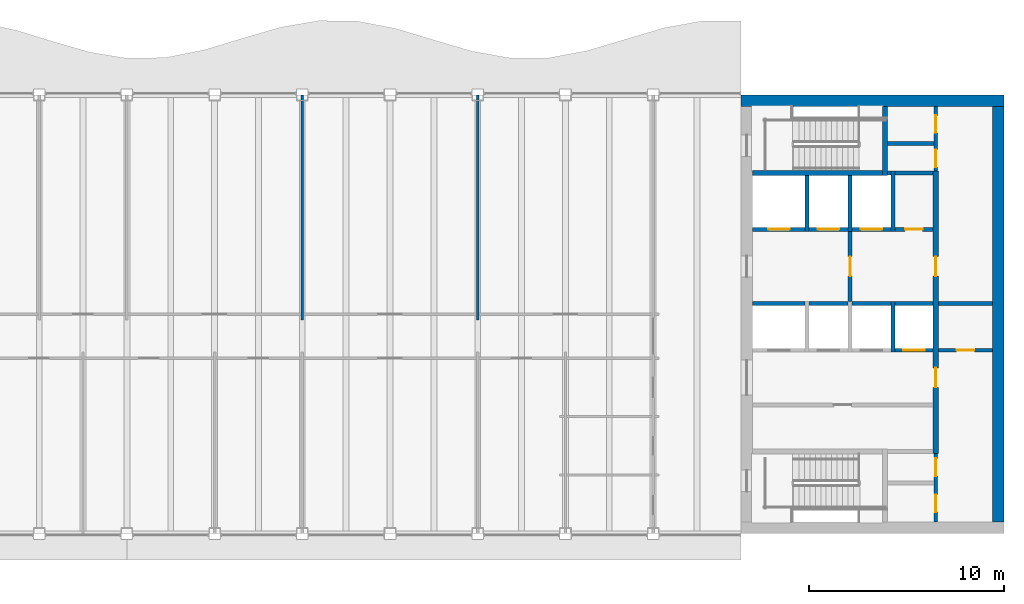
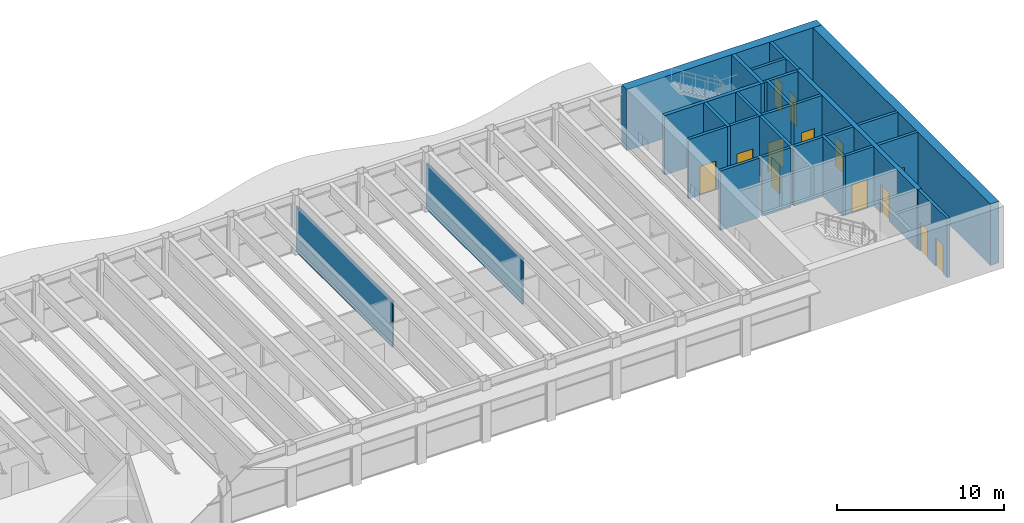
# One storey, part 10 of 14: 28 walls, 13 doors, 13 openings.
"""IFC4 building model written with IfcOpenShell, lengths in metres."""

from ifc_helpers import new_model, si_unit, direction, frame, frame_2d, origin, place, context, subcontext, project, spatial, rectangle, extrude, material, layer, layer_set, type_object, element, fill, save


model = new_model("IFC4")

# Units and contexts
model_context = context("Model", 3, precision=1e-05, world=origin(), true_north=direction((0.0, 1.0)))
body_context = subcontext(model_context, "Body", "Model", "MODEL_VIEW")
ifc_project = project(units=[si_unit("LENGTHUNIT", "METRE"), si_unit("AREAUNIT", "SQUARE_METRE"), si_unit("VOLUMEUNIT", "CUBIC_METRE"), si_unit("PLANEANGLEUNIT", "RADIAN"), si_unit("MASSUNIT", "GRAM", prefix="KILO")], contexts=[model_context])

# Site, building, storey
site_placement = place(None, origin())
site = spatial("IfcSite", under=ifc_project, at=site_placement, CompositionType="ELEMENT")
building_placement = place(site_placement, origin())
building = spatial("IfcBuilding", under=site, at=building_placement, Name="Sennacour Bend Tower", CompositionType="ELEMENT")
storey_placement = place(building_placement, frame((0.0, 0.0, 332.0)))
storey = spatial("IfcBuildingStorey", under=building, at=storey_placement, Name="L76", CompositionType="ELEMENT", Elevation=332.0)

# Walls
ifc_material_1 = material(Name="Concrete C50/60", Category="concrete")
ifc_layer_1 = layer(ifc_material_1, 0.60009765625, Name="Concrete C50/60", Category="concrete")
ifc_layer_set_1 = layer_set([ifc_layer_1], Name="Concrete C50/60")
wall_type_1 = type_object("IfcWallType", Name="Core wall 600 C50/60", PredefinedType="SHEAR", material=ifc_layer_set_1)
wall_1_placement = place(storey_placement, frame((54.0, 22.199951171875, -0.14990234375), z_axis=(0.0, 0.0, 1.0), x_axis=(1.0, 0.0, 0.0)))
element("IfcWall", 1, at=wall_1_placement, inside=storey, type_object=wall_type_1, Name="Core A wall L76 N", PredefinedType="SHEAR", context=body_context, shape_type="SweptSolid", body=[
    extrude(rectangle(XDim=13.5, YDim=0.60009765625, at=frame_2d((6.75, 0.0))), origin(), (0.0, 0.0, 1.0), 4.5),
])
wall_2_placement = place(storey_placement, frame((67.199951171875, 0.60009765625, -0.14990234375), z_axis=(0.0, 0.0, 1.0), x_axis=(0.0, 1.0, 0.0)))
element("IfcWall", 2, at=wall_2_placement, inside=storey, type_object=wall_type_1, Name="Core A wall L76 E", PredefinedType="SHEAR", context=body_context, shape_type="SweptSolid", body=[
    extrude(rectangle(XDim=21.2998046875, YDim=0.60009765625, at=frame_2d((10.64990234375, 0.0))), origin(), (0.0, 0.0, 1.0), 4.5),
])
ifc_material_2 = material(Name="Plasterboard partition on steel studs", Category="steel")
ifc_layer_2 = layer(ifc_material_2, 0.1201171875, Name="Plasterboard partition on steel studs", Category="steel")
ifc_layer_set_2 = layer_set([ifc_layer_2], Name="Plasterboard partition on steel studs")
wall_type_2 = type_object("IfcWallType", Name="Partition 120", PredefinedType="PARTITIONING", material=ifc_layer_set_2)
for number, where, z_axis, x_axis, name in (
    (3, (31.5, 10.949951171875, 0.0), (0.0, 0.0, 1.0), (0.0, 1.0, 0.0), "P-L76-W013a"),
    (4, (40.5, 10.949951171875, 0.0), (0.0, 0.0, 1.0), (0.0, 1.0, 0.0), "P-L76-W015a"),
):
    element("IfcWall", number, at=place(storey_placement, frame(where, z_axis=z_axis, x_axis=x_axis)), inside=storey, type_object=wall_type_2, Name=name, PredefinedType="PARTITIONING", context=body_context, shape_type="SweptSolid", body=[
        extrude(rectangle(XDim=11.5400390625, YDim=0.1201171875, at=frame_2d((5.77001953125, 0.0))), origin(), (0.0, 0.0, 1.0), 3.35888671875),
    ])

# Wall, openings, doors
ifc_material_3 = material(Name="Fire-rated plasterboard partition on steel studs", Category="steel")
ifc_layer_3 = layer(ifc_material_3, 0.199951171875, Name="Fire-rated plasterboard partition on steel studs", Category="steel")
ifc_layer_set_3 = layer_set([ifc_layer_3], Name="Fire-rated plasterboard partition on steel studs")
wall_type_3 = type_object("IfcWallType", Name="Rated partition 200", PredefinedType="PARTITIONING", material=ifc_layer_set_3)
wall_3_placement = place(storey_placement, frame((64.0, 0.60009765625, 0.0), z_axis=(0.0, 0.0, 1.0), x_axis=(0.0, 1.0, 0.0)))
wall_3 = element("IfcWall", 5, at=wall_3_placement, inside=storey, type_object=wall_type_3, Name="P-L76-W027", PredefinedType="PARTITIONING", context=body_context, shape_type="SweptSolid", body=[
    extrude(rectangle(XDim=3.5, YDim=0.199951171875, at=frame_2d((1.75, 0.0))), origin(), (0.0, 0.0, 1.0), 4.35009765625),
])
opening_1_placement = place(wall_3_placement, frame((0.5, 0.0, 0.0)))
opening_1 = element("IfcOpeningElement", 6, at=opening_1_placement, cuts=wall_3, Name="Opening SV", PredefinedType="OPENING", context=body_context, shape_type="SweptSolid", body=[
    extrude(rectangle(XDim=0.89990234375, YDim=2.10009765625, at=frame_2d((0.449951171875, 1.050048828125))), frame((0.0, 0.10986328125, 0.0), z_axis=(0.0, -1.0, 0.0), x_axis=(1.0, 0.0, 0.0)), (0.0, 0.0, 1.0), 0.219970703125),
])
opening_2_placement = place(wall_3_placement, frame((2.349853515625, 0.0, 0.0)))
opening_2 = element("IfcOpeningElement", 7, at=opening_2_placement, cuts=wall_3, Name="Opening WD", PredefinedType="OPENING", context=body_context, shape_type="SweptSolid", body=[
    extrude(rectangle(XDim=0.89990234375, YDim=2.10009765625, at=frame_2d((0.449951171875, 1.050048828125))), frame((0.0, 0.10986328125, 0.0), z_axis=(0.0, -1.0, 0.0), x_axis=(1.0, 0.0, 0.0)), (0.0, 0.0, 1.0), 0.219970703125),
])
ifc_material_4 = material(Name="Painted steel", Category="steel")
door_type_1 = type_object("IfcDoorType", Name="DR-SERVICE-900", OperationType="NOTDEFINED", PredefinedType="DOOR", material=ifc_material_4)
door_1_placement = place(opening_1_placement, origin())
door_1 = element("IfcDoor", 8, at=door_1_placement, inside=storey, type_object=door_type_1, Name="Door", OperationType="SINGLE_SWING_LEFT", OverallHeight=2.10009765625, OverallWidth=0.89990234375, PredefinedType="DOOR", context=body_context, shape_type="SweptSolid", body=[
    extrude(rectangle(XDim=0.89990234375, YDim=2.10009765625, at=frame_2d((0.449951171875, 1.050048828125))), frame((0.0, 0.02490234375, 0.0), z_axis=(0.0, -1.0, 0.0), x_axis=(1.0, 0.0, 0.0)), (0.0, 0.0, 1.0), 0.050048828125),
])
fill(opening_1, door_1)
ifc_material_5 = material(Name="Timber", Category="wood")
door_type_2 = type_object("IfcDoorType", Name="DR-WC-900", OperationType="NOTDEFINED", PredefinedType="DOOR", material=ifc_material_5)
door_2_placement = place(opening_2_placement, origin())
door_2 = element("IfcDoor", 9, at=door_2_placement, inside=storey, type_object=door_type_2, Name="Door", OperationType="SINGLE_SWING_RIGHT", OverallHeight=2.10009765625, OverallWidth=0.89990234375, PredefinedType="DOOR", context=body_context, shape_type="SweptSolid", body=[
    extrude(rectangle(XDim=0.89990234375, YDim=2.10009765625, at=frame_2d((0.449951171875, 1.050048828125))), frame((0.0, 0.02490234375, 0.0), z_axis=(0.0, -1.0, 0.0), x_axis=(1.0, 0.0, 0.0)), (0.0, 0.0, 1.0), 0.050048828125),
])
fill(opening_2, door_2)

wall_4_placement = place(storey_placement, frame((64.0, 18.60009765625, 0.0), z_axis=(0.0, 0.0, 1.0), x_axis=(0.0, 1.0, 0.0)))
wall_4 = element("IfcWall", 10, at=wall_4_placement, inside=storey, type_object=wall_type_3, Name="P-L76-W029", PredefinedType="PARTITIONING", context=body_context, shape_type="SweptSolid", body=[
    extrude(rectangle(XDim=3.2998046875, YDim=0.199951171875, at=frame_2d((1.64990234375, 0.0))), origin(), (0.0, 0.0, 1.0), 4.35009765625),
])
opening_3_placement = place(wall_4_placement, frame((0.199951171875, 0.0, 0.0)))
opening_3 = element("IfcOpeningElement", 11, at=opening_3_placement, cuts=wall_4, Name="Opening SV", PredefinedType="OPENING", context=body_context, shape_type="SweptSolid", body=[
    extrude(rectangle(XDim=0.89990234375, YDim=2.10009765625, at=frame_2d((0.449951171875, 1.050048828125))), frame((0.0, 0.10986328125, 0.0), z_axis=(0.0, -1.0, 0.0), x_axis=(1.0, 0.0, 0.0)), (0.0, 0.0, 1.0), 0.219970703125),
])
opening_4_placement = place(wall_4_placement, frame((1.949951171875, 0.0, 0.0)))
opening_4 = element("IfcOpeningElement", 12, at=opening_4_placement, cuts=wall_4, Name="Opening SV", PredefinedType="OPENING", context=body_context, shape_type="SweptSolid", body=[
    extrude(rectangle(XDim=0.89990234375, YDim=2.10009765625, at=frame_2d((0.449951171875, 1.050048828125))), frame((0.0, 0.10986328125, 0.0), z_axis=(0.0, -1.0, 0.0), x_axis=(1.0, 0.0, 0.0)), (0.0, 0.0, 1.0), 0.219970703125),
])
door_3_placement = place(opening_3_placement, origin())
door_3 = element("IfcDoor", 13, at=door_3_placement, inside=storey, type_object=door_type_1, Name="Door", OperationType="SINGLE_SWING_LEFT", OverallHeight=2.10009765625, OverallWidth=0.89990234375, PredefinedType="DOOR", context=body_context, shape_type="SweptSolid", body=[
    extrude(rectangle(XDim=0.89990234375, YDim=2.10009765625, at=frame_2d((0.449951171875, 1.050048828125))), frame((0.0, 0.02490234375, 0.0), z_axis=(0.0, -1.0, 0.0), x_axis=(1.0, 0.0, 0.0)), (0.0, 0.0, 1.0), 0.050048828125),
])
fill(opening_3, door_3)
door_4_placement = place(opening_4_placement, origin())
door_4 = element("IfcDoor", 14, at=door_4_placement, inside=storey, type_object=door_type_1, Name="Door", OperationType="SINGLE_SWING_RIGHT", OverallHeight=2.10009765625, OverallWidth=0.89990234375, PredefinedType="DOOR", context=body_context, shape_type="SweptSolid", body=[
    extrude(rectangle(XDim=0.89990234375, YDim=2.10009765625, at=frame_2d((0.449951171875, 1.050048828125))), frame((0.0, 0.02490234375, 0.0), z_axis=(0.0, -1.0, 0.0), x_axis=(1.0, 0.0, 0.0)), (0.0, 0.0, 1.0), 0.050048828125),
])
fill(opening_4, door_4)

# Wall, opening, door
wall_5_placement = place(storey_placement, frame((64.14990234375, 9.39990234375, 0.0), z_axis=(0.0, 0.0, 1.0), x_axis=(1.0, 0.0, 0.0)))
wall_5 = element("IfcWall", 15, at=wall_5_placement, inside=storey, type_object=wall_type_3, Name="P-L76-W042", PredefinedType="PARTITIONING", context=body_context, shape_type="SweptSolid", body=[
    extrude(rectangle(XDim=2.75, YDim=0.199951171875, at=frame_2d((1.375, 0.0))), origin(), (0.0, 0.0, 1.0), 4.35009765625),
])
opening_5_placement = place(wall_5_placement, frame((0.925048828125, 0.0, 0.0)))
opening_5 = element("IfcOpeningElement", 16, at=opening_5_placement, cuts=wall_5, Name="Opening SV", PredefinedType="OPENING", context=body_context, shape_type="SweptSolid", body=[
    extrude(rectangle(XDim=0.89990234375, YDim=2.10009765625, at=frame_2d((0.449951171875, 1.050048828125))), frame((0.0, 0.10986328125, 0.0), z_axis=(0.0, -1.0, 0.0), x_axis=(1.0, 0.0, 0.0)), (0.0, 0.0, 1.0), 0.219970703125),
])
door_5_placement = place(opening_5_placement, origin())
door_5 = element("IfcDoor", 17, at=door_5_placement, inside=storey, type_object=door_type_1, Name="Door", OperationType="SINGLE_SWING_LEFT", OverallHeight=2.10009765625, OverallWidth=0.89990234375, PredefinedType="DOOR", context=body_context, shape_type="SweptSolid", body=[
    extrude(rectangle(XDim=0.89990234375, YDim=2.10009765625, at=frame_2d((0.449951171875, 1.050048828125))), frame((0.0, 0.02490234375, 0.0), z_axis=(0.0, -1.0, 0.0), x_axis=(1.0, 0.0, 0.0)), (0.0, 0.0, 1.0), 0.050048828125),
])
fill(opening_5, door_5)

# Wall
wall_6_placement = place(storey_placement, frame((64.14990234375, 11.800048828125, 0.0), z_axis=(0.0, 0.0, 1.0), x_axis=(1.0, 0.0, 0.0)))
element("IfcWall", 18, at=wall_6_placement, inside=storey, type_object=wall_type_3, Name="P-L76-W045", PredefinedType="PARTITIONING", context=body_context, shape_type="SweptSolid", body=[
    extrude(rectangle(XDim=2.75, YDim=0.199951171875, at=frame_2d((1.375, 0.0))), origin(), (0.0, 0.0, 1.0), 4.35009765625),
])

# Wall, opening, door
wall_7_placement = place(storey_placement, frame((61.89990234375, 15.60009765625, 0.0), z_axis=(0.0, 0.0, 1.0), x_axis=(1.0, 0.0, 0.0)))
wall_7 = element("IfcWall", 19, at=wall_7_placement, inside=storey, type_object=wall_type_3, Name="P-L76-W047", PredefinedType="PARTITIONING", context=body_context, shape_type="SweptSolid", body=[
    extrude(rectangle(XDim=1.9501953125, YDim=0.199951171875, at=frame_2d((0.97509765625, 0.0))), origin(), (0.0, 0.0, 1.0), 4.35009765625),
])
opening_6_placement = place(wall_7_placement, frame((0.525146484375, 0.0, 0.0)))
opening_6 = element("IfcOpeningElement", 20, at=opening_6_placement, cuts=wall_7, Name="Opening SV", PredefinedType="OPENING", context=body_context, shape_type="SweptSolid", body=[
    extrude(rectangle(XDim=0.89990234375, YDim=2.10009765625, at=frame_2d((0.449951171875, 1.050048828125))), frame((0.0, 0.10986328125, 0.0), z_axis=(0.0, -1.0, 0.0), x_axis=(1.0, 0.0, 0.0)), (0.0, 0.0, 1.0), 0.219970703125),
])
door_6_placement = place(opening_6_placement, origin())
door_6 = element("IfcDoor", 21, at=door_6_placement, inside=storey, type_object=door_type_1, Name="Door", OperationType="SINGLE_SWING_LEFT", OverallHeight=2.10009765625, OverallWidth=0.89990234375, PredefinedType="DOOR", context=body_context, shape_type="SweptSolid", body=[
    extrude(rectangle(XDim=0.89990234375, YDim=2.10009765625, at=frame_2d((0.449951171875, 1.050048828125))), frame((0.0, 0.02490234375, 0.0), z_axis=(0.0, -1.0, 0.0), x_axis=(1.0, 0.0, 0.0)), (0.0, 0.0, 1.0), 0.050048828125),
])
fill(opening_6, door_6)

# Walls
wall_8_placement = place(storey_placement, frame((61.89990234375, 18.5, 0.0), z_axis=(0.0, 0.0, 1.0), x_axis=(1.0, 0.0, 0.0)))
element("IfcWall", 22, at=wall_8_placement, inside=storey, type_object=wall_type_3, Name="P-L76-W050", PredefinedType="PARTITIONING", context=body_context, shape_type="SweptSolid", body=[
    extrude(rectangle(XDim=1.9501953125, YDim=0.199951171875, at=frame_2d((0.97509765625, 0.0))), origin(), (0.0, 0.0, 1.0), 4.35009765625),
])
wall_9_placement = place(storey_placement, frame((61.52490234375, 20.0, 0.0), z_axis=(0.0, 0.0, 1.0), x_axis=(1.0, 0.0, 0.0)))
element("IfcWall", 23, at=wall_9_placement, inside=storey, type_object=wall_type_3, Name="P-L76-W051", PredefinedType="PARTITIONING", context=body_context, shape_type="SweptSolid", body=[
    extrude(rectangle(XDim=2.375, YDim=0.199951171875, at=frame_2d((1.1875, 0.0))), origin(), (0.0, 0.0, 1.0), 4.35009765625),
])

# Wall, opening, door
ifc_layer_4 = layer(ifc_material_3, 0.199951171875, Name="Fire-rated plasterboard partition on steel studs", Category="steel")
ifc_layer_set_4 = layer_set([ifc_layer_4], Name="Fire-rated plasterboard partition on steel studs")
wall_type_4 = type_object("IfcWallType", Name="Rated partition 200 EI 90", PredefinedType="PARTITIONING", material=ifc_layer_set_4)
wall_10_placement = place(storey_placement, frame((59.60009765625, 11.89990234375, 0.0), z_axis=(0.0, 0.0, 1.0), x_axis=(0.0, 1.0, 0.0)))
wall_10 = element("IfcWall", 24, at=wall_10_placement, inside=storey, type_object=wall_type_4, Name="P-L76-W021", PredefinedType="PARTITIONING", context=body_context, shape_type="SweptSolid", body=[
    extrude(rectangle(XDim=3.60009765625, YDim=0.199951171875, at=frame_2d((1.800048828125, 0.0))), origin(), (0.0, 0.0, 1.0), 4.35009765625),
])
opening_7_placement = place(wall_10_placement, frame((1.300048828125, 0.0, 0.0)))
opening_7 = element("IfcOpeningElement", 25, at=opening_7_placement, cuts=wall_10, Name="Opening FD2", PredefinedType="OPENING", context=body_context, shape_type="SweptSolid", body=[
    extrude(rectangle(XDim=1.0, YDim=2.10009765625, at=frame_2d((0.5, 1.050048828125))), frame((0.0, 0.10986328125, 0.0), z_axis=(0.0, -1.0, 0.0), x_axis=(1.0, 0.0, 0.0)), (0.0, 0.0, 1.0), 0.219970703125),
])
door_type_3 = type_object("IfcDoorType", Name="DR-FFL-1000", OperationType="NOTDEFINED", PredefinedType="DOOR", material=ifc_material_4)
door_7_placement = place(opening_7_placement, origin())
door_7 = element("IfcDoor", 26, at=door_7_placement, inside=storey, type_object=door_type_3, Name="Door", OperationType="SINGLE_SWING_LEFT", OverallHeight=2.10009765625, OverallWidth=1.0, PredefinedType="DOOR", context=body_context, shape_type="SweptSolid", body=[
    extrude(rectangle(XDim=1.0, YDim=2.10009765625, at=frame_2d((0.5, 1.050048828125))), frame((0.0, 0.02490234375, 0.0), z_axis=(0.0, -1.0, 0.0), x_axis=(1.0, 0.0, 0.0)), (0.0, 0.0, 1.0), 0.050048828125),
])
fill(opening_7, door_7)

# Walls
ifc_layer_5 = layer(ifc_material_1, 0.199951171875, Name="Concrete C50/60", Category="concrete")
ifc_layer_set_5 = layer_set([ifc_layer_5], Name="Concrete C50/60")
wall_type_5 = type_object("IfcWallType", Name="Shaft wall 200", PredefinedType="SOLIDWALL", material=ifc_layer_set_5)
for number, where, z_axis, x_axis, name in (
    (27, (57.39990234375, 15.5, 0.0), (0.0, 0.0, 1.0), (0.0, 1.0, 0.0), "P-L76-W019"),
    (28, (59.60009765625, 15.5, 0.0), (0.0, 0.0, 1.0), (0.0, 1.0, 0.0), "P-L76-W022"),
):
    element("IfcWall", number, at=place(storey_placement, frame(where, z_axis=z_axis, x_axis=x_axis)), inside=storey, type_object=wall_type_5, Name=name, PredefinedType="SOLIDWALL", context=body_context, shape_type="SweptSolid", body=[
        extrude(rectangle(XDim=2.875, YDim=0.199951171875, at=frame_2d((1.4375, 0.0))), origin(), (0.0, 0.0, 1.0), 4.35009765625),
    ])
wall_11_placement = place(storey_placement, frame((61.800048828125, 9.300048828125, 0.0), z_axis=(0.0, 0.0, 1.0), x_axis=(0.0, 1.0, 0.0)))
element("IfcWall", 29, at=wall_11_placement, inside=storey, type_object=wall_type_5, Name="P-L76-W025", PredefinedType="SOLIDWALL", context=body_context, shape_type="SweptSolid", body=[
    extrude(rectangle(XDim=2.599853515625, YDim=0.199951171875, at=frame_2d((1.2998046875, 0.0))), origin(), (0.0, 0.0, 1.0), 4.35009765625),
])
wall_12_placement = place(storey_placement, frame((61.800048828125, 15.5, 0.0), z_axis=(0.0, 0.0, 1.0), x_axis=(0.0, 1.0, 0.0)))
element("IfcWall", 30, at=wall_12_placement, inside=storey, type_object=wall_type_5, Name="P-L76-W026", PredefinedType="SOLIDWALL", context=body_context, shape_type="SweptSolid", body=[
    extrude(rectangle(XDim=3.10009765625, YDim=0.199951171875, at=frame_2d((1.550048828125, 0.0))), origin(), (0.0, 0.0, 1.0), 4.35009765625),
])

# Wall, opening, door
wall_13_placement = place(storey_placement, frame((61.89990234375, 9.39990234375, 0.0), z_axis=(0.0, 0.0, 1.0), x_axis=(1.0, 0.0, 0.0)))
wall_13 = element("IfcWall", 31, at=wall_13_placement, inside=storey, type_object=wall_type_5, Name="P-L76-W041d", PredefinedType="SOLIDWALL", context=body_context, shape_type="SweptSolid", body=[
    extrude(rectangle(XDim=1.9501953125, YDim=0.199951171875, at=frame_2d((0.97509765625, 0.0))), origin(), (0.0, 0.0, 1.0), 4.35009765625),
])
opening_8_placement = place(wall_13_placement, frame((0.425048828125, 0.0, 0.011962890625)))
opening_8 = element("IfcOpeningElement", 32, at=opening_8_placement, cuts=wall_13, Name="Opening LD", PredefinedType="OPENING", context=body_context, shape_type="SweptSolid", body=[
    extrude(rectangle(XDim=1.10009765625, YDim=2.10009765625, at=frame_2d((0.550048828125, 1.050048828125))), frame((0.0, 0.10986328125, 0.0), z_axis=(0.0, -1.0, 0.0), x_axis=(1.0, 0.0, 0.0)), (0.0, 0.0, 1.0), 0.219970703125),
])
ifc_material_6 = material(Name="Stainless steel", Category="steel")
door_type_4 = type_object("IfcDoorType", Name="DR-LANDING-1100", OperationType="NOTDEFINED", PredefinedType="DOOR", material=ifc_material_6)
door_8_placement = place(opening_8_placement, origin())
door_8 = element("IfcDoor", 33, at=door_8_placement, inside=storey, type_object=door_type_4, Name="Lift landing door HA4", OperationType="SLIDING_TO_RIGHT", OverallHeight=2.10009765625, OverallWidth=1.10009765625, PredefinedType="DOOR", context=body_context, shape_type="SweptSolid", body=[
    extrude(rectangle(XDim=1.10009765625, YDim=2.10009765625, at=frame_2d((0.550048828125, 1.050048828125))), frame((0.0, 0.02490234375, 0.0), z_axis=(0.0, -1.0, 0.0), x_axis=(1.0, 0.0, 0.0)), (0.0, 0.0, 1.0), 0.050048828125),
])
fill(opening_8, door_8)

# Walls
wall_14_placement = place(storey_placement, frame((54.60009765625, 11.800048828125, 0.0), z_axis=(0.0, 0.0, 1.0), x_axis=(1.0, 0.0, 0.0)))
element("IfcWall", 34, at=wall_14_placement, inside=storey, type_object=wall_type_5, Name="P-L76-W044a", PredefinedType="SOLIDWALL", context=body_context, shape_type="SweptSolid", body=[
    extrude(rectangle(XDim=2.699951171875, YDim=0.199951171875, at=frame_2d((1.35009765625, 0.0))), origin(), (0.0, 0.0, 1.0), 4.35009765625),
])
for number, where, z_axis, x_axis, name in (
    (35, (57.5, 11.800048828125, 0.0), (0.0, 0.0, 1.0), (1.0, 0.0, 0.0), "P-L76-W044b"),
    (36, (59.699951171875, 11.800048828125, 0.0), (0.0, 0.0, 1.0), (1.0, 0.0, 0.0), "P-L76-W044c"),
):
    element("IfcWall", number, at=place(storey_placement, frame(where, z_axis=z_axis, x_axis=x_axis)), inside=storey, type_object=wall_type_5, Name=name, PredefinedType="SOLIDWALL", context=body_context, shape_type="SweptSolid", body=[
        extrude(rectangle(XDim=2.0, YDim=0.199951171875, at=frame_2d((1.0, 0.0))), origin(), (0.0, 0.0, 1.0), 4.35009765625),
    ])
wall_15_placement = place(storey_placement, frame((61.89990234375, 11.800048828125, 0.0), z_axis=(0.0, 0.0, 1.0), x_axis=(1.0, 0.0, 0.0)))
element("IfcWall", 37, at=wall_15_placement, inside=storey, type_object=wall_type_5, Name="P-L76-W044d", PredefinedType="SOLIDWALL", context=body_context, shape_type="SweptSolid", body=[
    extrude(rectangle(XDim=1.9501953125, YDim=0.199951171875, at=frame_2d((0.97509765625, 0.0))), origin(), (0.0, 0.0, 1.0), 4.35009765625),
])

# Wall, opening, door
wall_16_placement = place(storey_placement, frame((54.60009765625, 15.60009765625, 0.0), z_axis=(0.0, 0.0, 1.0), x_axis=(1.0, 0.0, 0.0)))
wall_16 = element("IfcWall", 38, at=wall_16_placement, inside=storey, type_object=wall_type_5, Name="P-L76-W046a", PredefinedType="SOLIDWALL", context=body_context, shape_type="SweptSolid", body=[
    extrude(rectangle(XDim=2.699951171875, YDim=0.199951171875, at=frame_2d((1.35009765625, 0.0))), origin(), (0.0, 0.0, 1.0), 4.35009765625),
])
opening_9_placement = place(wall_16_placement, frame((0.7998046875, 0.0, 0.011962890625)))
opening_9 = element("IfcOpeningElement", 39, at=opening_9_placement, cuts=wall_16, Name="Opening FLD", PredefinedType="OPENING", context=body_context, shape_type="SweptSolid", body=[
    extrude(rectangle(XDim=1.10009765625, YDim=2.10009765625, at=frame_2d((0.550048828125, 1.050048828125))), frame((0.0, 0.10986328125, 0.0), z_axis=(0.0, -1.0, 0.0), x_axis=(1.0, 0.0, 0.0)), (0.0, 0.0, 1.0), 0.219970703125),
])
door_type_5 = type_object("IfcDoorType", Name="DR-FF-LANDING-1100", OperationType="NOTDEFINED", PredefinedType="DOOR", material=ifc_material_6)
door_9_placement = place(opening_9_placement, origin())
door_9 = element("IfcDoor", 40, at=door_9_placement, inside=storey, type_object=door_type_5, Name="Fire service lift landing door FA1", OperationType="SLIDING_TO_LEFT", OverallHeight=2.10009765625, OverallWidth=1.10009765625, PredefinedType="DOOR", context=body_context, shape_type="SweptSolid", body=[
    extrude(rectangle(XDim=1.10009765625, YDim=2.10009765625, at=frame_2d((0.550048828125, 1.050048828125))), frame((0.0, 0.02490234375, 0.0), z_axis=(0.0, -1.0, 0.0), x_axis=(1.0, 0.0, 0.0)), (0.0, 0.0, 1.0), 0.050048828125),
])
fill(opening_9, door_9)

wall_17_placement = place(storey_placement, frame((57.5, 15.60009765625, 0.0), z_axis=(0.0, 0.0, 1.0), x_axis=(1.0, 0.0, 0.0)))
wall_17 = element("IfcWall", 41, at=wall_17_placement, inside=storey, type_object=wall_type_5, Name="P-L76-W046b", PredefinedType="SOLIDWALL", context=body_context, shape_type="SweptSolid", body=[
    extrude(rectangle(XDim=2.0, YDim=0.199951171875, at=frame_2d((1.0, 0.0))), origin(), (0.0, 0.0, 1.0), 4.35009765625),
])
opening_10_placement = place(wall_17_placement, frame((0.449951171875, 0.0, 0.011962890625)))
opening_10 = element("IfcOpeningElement", 42, at=opening_10_placement, cuts=wall_17, Name="Opening FLD", PredefinedType="OPENING", context=body_context, shape_type="SweptSolid", body=[
    extrude(rectangle(XDim=1.10009765625, YDim=2.10009765625, at=frame_2d((0.550048828125, 1.050048828125))), frame((0.0, 0.10986328125, 0.0), z_axis=(0.0, -1.0, 0.0), x_axis=(1.0, 0.0, 0.0)), (0.0, 0.0, 1.0), 0.219970703125),
])
door_10_placement = place(opening_10_placement, origin())
door_10 = element("IfcDoor", 43, at=door_10_placement, inside=storey, type_object=door_type_5, Name="Fire service lift landing door FA2", OperationType="SLIDING_TO_RIGHT", OverallHeight=2.10009765625, OverallWidth=1.10009765625, PredefinedType="DOOR", context=body_context, shape_type="SweptSolid", body=[
    extrude(rectangle(XDim=1.10009765625, YDim=2.10009765625, at=frame_2d((0.550048828125, 1.050048828125))), frame((0.0, 0.02490234375, 0.0), z_axis=(0.0, -1.0, 0.0), x_axis=(1.0, 0.0, 0.0)), (0.0, 0.0, 1.0), 0.050048828125),
])
fill(opening_10, door_10)

wall_18_placement = place(storey_placement, frame((59.699951171875, 15.60009765625, 0.0), z_axis=(0.0, 0.0, 1.0), x_axis=(1.0, 0.0, 0.0)))
wall_18 = element("IfcWall", 44, at=wall_18_placement, inside=storey, type_object=wall_type_5, Name="P-L76-W046c", PredefinedType="SOLIDWALL", context=body_context, shape_type="SweptSolid", body=[
    extrude(rectangle(XDim=2.0, YDim=0.199951171875, at=frame_2d((1.0, 0.0))), origin(), (0.0, 0.0, 1.0), 4.35009765625),
])
opening_11_placement = place(wall_18_placement, frame((0.449951171875, 0.0, 0.011962890625)))
opening_11 = element("IfcOpeningElement", 45, at=opening_11_placement, cuts=wall_18, Name="Opening LD", PredefinedType="OPENING", context=body_context, shape_type="SweptSolid", body=[
    extrude(rectangle(XDim=1.10009765625, YDim=2.10009765625, at=frame_2d((0.550048828125, 1.050048828125))), frame((0.0, 0.10986328125, 0.0), z_axis=(0.0, -1.0, 0.0), x_axis=(1.0, 0.0, 0.0)), (0.0, 0.0, 1.0), 0.219970703125),
])
door_11_placement = place(opening_11_placement, origin())
door_11 = element("IfcDoor", 46, at=door_11_placement, inside=storey, type_object=door_type_4, Name="Lift landing door HA5", OperationType="SLIDING_TO_LEFT", OverallHeight=2.10009765625, OverallWidth=1.10009765625, PredefinedType="DOOR", context=body_context, shape_type="SweptSolid", body=[
    extrude(rectangle(XDim=1.10009765625, YDim=2.10009765625, at=frame_2d((0.550048828125, 1.050048828125))), frame((0.0, 0.02490234375, 0.0), z_axis=(0.0, -1.0, 0.0), x_axis=(1.0, 0.0, 0.0)), (0.0, 0.0, 1.0), 0.050048828125),
])
fill(opening_11, door_11)

# Wall
wall_19_placement = place(storey_placement, frame((61.52490234375, 18.5, 0.0), z_axis=(0.0, 0.0, 1.0), x_axis=(1.0, 0.0, 0.0)))
element("IfcWall", 47, at=wall_19_placement, inside=storey, type_object=wall_type_5, Name="P-L76-W049", PredefinedType="SOLIDWALL", context=body_context, shape_type="SweptSolid", body=[
    extrude(rectangle(XDim=0.175048828125, YDim=0.199951171875, at=frame_2d((0.08740234375, 0.0))), origin(), (0.0, 0.0, 1.0), 4.35009765625),
])

# Wall, openings, doors
ifc_material_7 = material(Name="Concrete C60/75", Category="concrete")
ifc_layer_6 = layer(ifc_material_7, 0.300048828125, Name="Concrete C60/75", Category="concrete")
ifc_layer_set_6 = layer_set([ifc_layer_6], Name="Concrete C60/75")
wall_type_6 = type_object("IfcWallType", Name="Spine wall 300", PredefinedType="SHEAR", material=ifc_layer_set_6)
wall_20_placement = place(storey_placement, frame((64.0, 4.10009765625, 0.0), z_axis=(0.0, 0.0, 1.0), x_axis=(0.0, 1.0, 0.0)))
wall_20 = element("IfcWall", 48, at=wall_20_placement, inside=storey, type_object=wall_type_6, Name="P-L76-W028", PredefinedType="SHEAR", context=body_context, shape_type="SweptSolid", body=[
    extrude(rectangle(XDim=14.5, YDim=0.300048828125, at=frame_2d((7.25, 0.0))), origin(), (0.0, 0.0, 1.0), 4.35009765625),
])
opening_12_placement = place(wall_20_placement, frame((3.39990234375, 0.0, 0.0)))
opening_12 = element("IfcOpeningElement", 49, at=opening_12_placement, cuts=wall_20, Name="Opening CD2", PredefinedType="OPENING", context=body_context, shape_type="SweptSolid", body=[
    extrude(rectangle(XDim=1.0, YDim=2.10009765625, at=frame_2d((0.5, 1.050048828125))), frame((0.0, 0.16015625, 0.0), z_axis=(0.0, -1.0, 0.0), x_axis=(1.0, 0.0, 0.0)), (0.0, 0.0, 1.0), 0.320068359375),
])
opening_13_placement = place(wall_20_placement, frame((9.099853515625, 0.0, 0.0)))
opening_13 = element("IfcOpeningElement", 50, at=opening_13_placement, cuts=wall_20, Name="Opening CD2", PredefinedType="OPENING", context=body_context, shape_type="SweptSolid", body=[
    extrude(rectangle(XDim=1.0, YDim=2.10009765625, at=frame_2d((0.5, 1.050048828125))), frame((0.0, 0.16015625, 0.0), z_axis=(0.0, -1.0, 0.0), x_axis=(1.0, 0.0, 0.0)), (0.0, 0.0, 1.0), 0.320068359375),
])
door_type_6 = type_object("IfcDoorType", Name="DR-LOBBY-1000", OperationType="NOTDEFINED", PredefinedType="DOOR", material=ifc_material_4)
door_12_placement = place(opening_12_placement, origin())
door_12 = element("IfcDoor", 51, at=door_12_placement, inside=storey, type_object=door_type_6, Name="Door", OperationType="SINGLE_SWING_LEFT", OverallHeight=2.10009765625, OverallWidth=1.0, PredefinedType="DOOR", context=body_context, shape_type="SweptSolid", body=[
    extrude(rectangle(XDim=1.0, YDim=2.10009765625, at=frame_2d((0.5, 1.050048828125))), frame((0.0, 0.02490234375, 0.0), z_axis=(0.0, -1.0, 0.0), x_axis=(1.0, 0.0, 0.0)), (0.0, 0.0, 1.0), 0.050048828125),
])
fill(opening_12, door_12)
door_13_placement = place(opening_13_placement, origin())
door_13 = element("IfcDoor", 52, at=door_13_placement, inside=storey, type_object=door_type_6, Name="Door", OperationType="SINGLE_SWING_RIGHT", OverallHeight=2.10009765625, OverallWidth=1.0, PredefinedType="DOOR", context=body_context, shape_type="SweptSolid", body=[
    extrude(rectangle(XDim=1.0, YDim=2.10009765625, at=frame_2d((0.5, 1.050048828125))), frame((0.0, 0.02490234375, 0.0), z_axis=(0.0, -1.0, 0.0), x_axis=(1.0, 0.0, 0.0)), (0.0, 0.0, 1.0), 0.050048828125),
])
fill(opening_13, door_13)

# Walls
ifc_layer_7 = layer(ifc_material_7, 0.25, Name="Concrete C60/75", Category="concrete")
ifc_layer_set_7 = layer_set([ifc_layer_7], Name="Concrete C60/75")
wall_type_7 = type_object("IfcWallType", Name="Stair wall 250", PredefinedType="SHEAR", material=ifc_layer_set_7)
wall_21_placement = place(storey_placement, frame((61.39990234375, 18.375, 0.0), z_axis=(0.0, 0.0, 1.0), x_axis=(0.0, 1.0, 0.0)))
element("IfcWall", 53, at=wall_21_placement, inside=storey, type_object=wall_type_7, Name="P-L76-W024", PredefinedType="SHEAR", context=body_context, shape_type="SweptSolid", body=[
    extrude(rectangle(XDim=3.52490234375, YDim=0.25, at=frame_2d((1.762451171875, 0.0))), origin(), (0.0, 0.0, 1.0), 4.35009765625),
])
wall_22_placement = place(storey_placement, frame((54.60009765625, 18.5, 0.0), z_axis=(0.0, 0.0, 1.0), x_axis=(1.0, 0.0, 0.0)))
element("IfcWall", 54, at=wall_22_placement, inside=storey, type_object=wall_type_7, Name="P-L76-W048", PredefinedType="SHEAR", context=body_context, shape_type="SweptSolid", body=[
    extrude(rectangle(XDim=6.6748046875, YDim=0.25, at=frame_2d((3.33740234375, 0.0))), origin(), (0.0, 0.0, 1.0), 4.35009765625),
])

save(model, "model.ifc")
